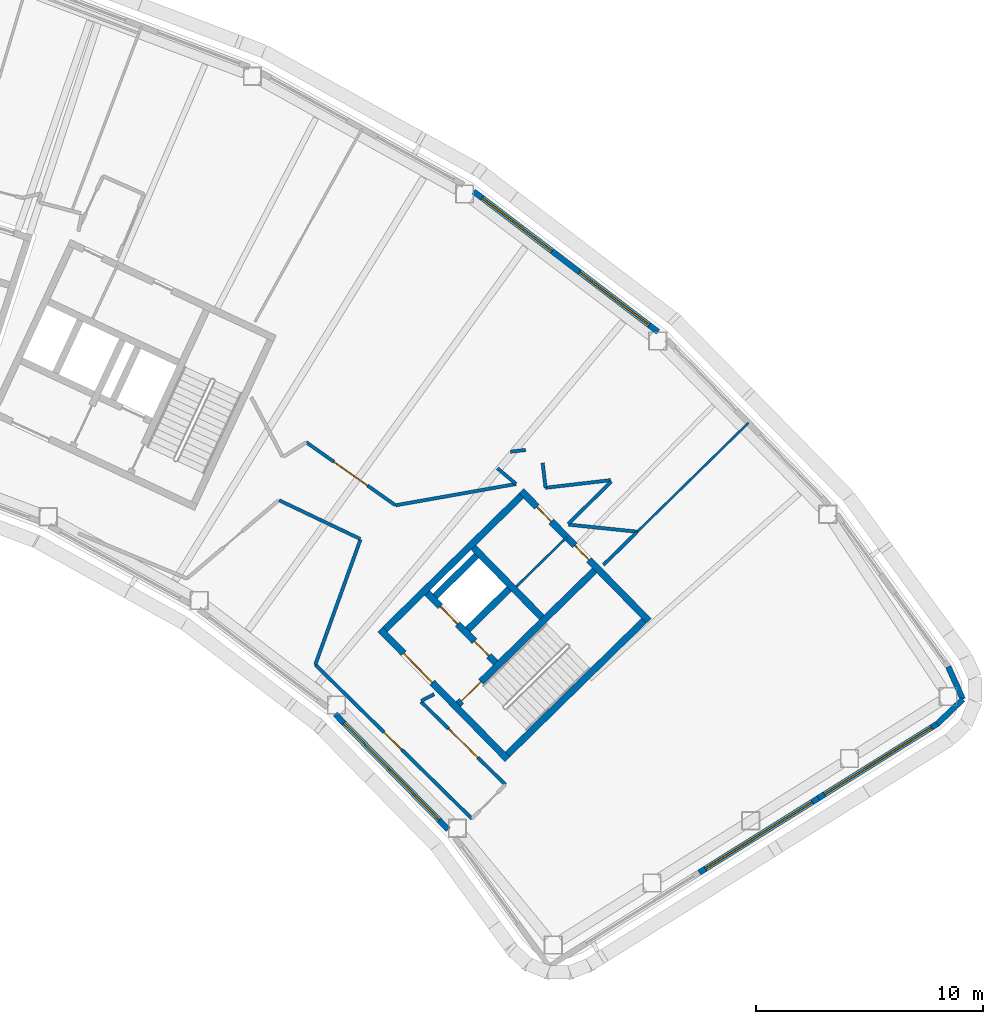
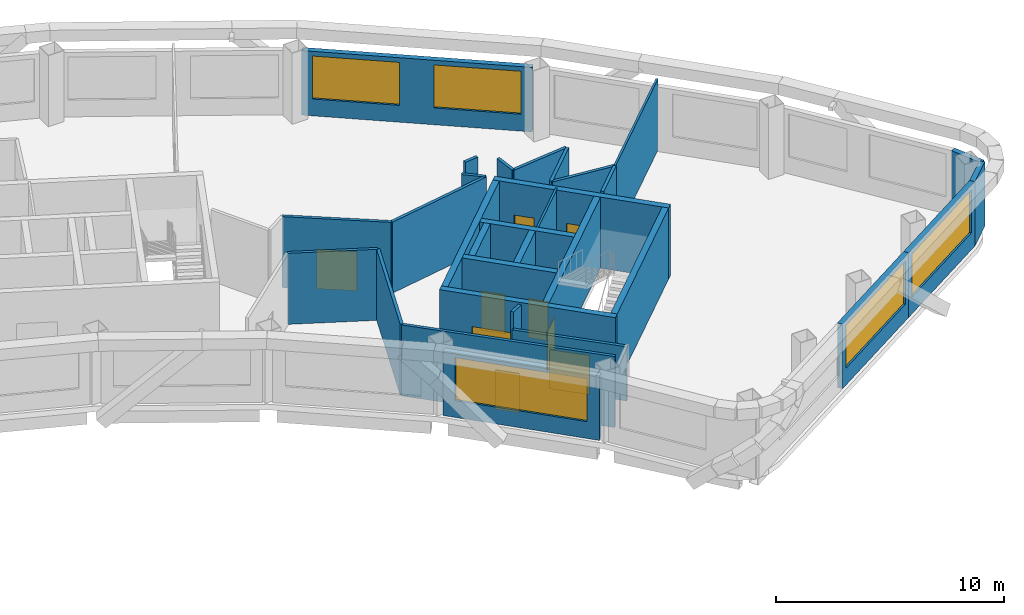
# One storey, part 9 of 18: 31 walls, 9 doors, 5 windows, 14 openings.
"""IFC4 building model written with IfcOpenShell, lengths in metres."""

from ifc_helpers import new_model, si_unit, direction, frame, frame_2d, origin, place, context, subcontext, project, spatial, rectangle, extrude, material, layer, layer_set, type_object, element, fill, save


model = new_model("IFC4")

# Units and contexts
model_context = context("Model", 3, precision=1e-05, world=origin(), true_north=direction((0.0, 1.0)))
body_context = subcontext(model_context, "Body", "Model", "MODEL_VIEW")
ifc_project = project(units=[si_unit("LENGTHUNIT", "METRE"), si_unit("AREAUNIT", "SQUARE_METRE"), si_unit("VOLUMEUNIT", "CUBIC_METRE"), si_unit("PLANEANGLEUNIT", "RADIAN"), si_unit("MASSUNIT", "GRAM", prefix="KILO")], contexts=[model_context])

# Site, building, storey
site_placement = place(None, origin())
site = spatial("IfcSite", under=ifc_project, at=site_placement, CompositionType="ELEMENT")
building_placement = place(site_placement, origin())
building = spatial("IfcBuilding", under=site, at=building_placement, Name="Tuul Gate Civic Tower", CompositionType="ELEMENT")
storey_placement = place(building_placement, frame((0.0, 0.0, 234.699951171875)))
storey = spatial("IfcBuildingStorey", under=building, at=storey_placement, Name="Level 53", CompositionType="ELEMENT", Elevation=234.699951171875)

# Wall, opening, door
ifc_material_1 = material(Name="Concrete C50/60", Category="concrete")
ifc_layer_1 = layer(ifc_material_1, 0.300048828125)
ifc_layer_set_1 = layer_set([ifc_layer_1], Name="Concrete C50/60")
wall_type_1 = type_object("IfcWallType", Name="Core wall C50/60", PredefinedType="SHEAR", material=ifc_layer_set_1)
wall_1_placement = place(storey_placement, frame((48.22509765625, -18.327880859375, 0.0), z_axis=(0.0, 0.0, 1.0), x_axis=(-0.700021979774, 0.714121297703, 0.0)))
wall_1 = element("IfcWall", 1, at=wall_1_placement, inside=storey, type_object=wall_type_1, Name="Core wall", PredefinedType="SHEAR", context=body_context, shape_type="SweptSolid", body=[
    extrude(rectangle(XDim=8.0, YDim=0.300048828125, at=frame_2d((4.0, 0.0))), origin(), (0.0, 0.0, 1.0), 3.800048828125),
])
opening_1_placement = place(wall_1_placement, frame((4.72509765625, 0.0, 0.0)))
opening_1 = element("IfcOpeningElement", 2, at=opening_1_placement, cuts=wall_1, Name="Opening LB-E1-LOBBY-1", PredefinedType="OPENING", context=body_context, shape_type="SweptSolid", body=[
    extrude(rectangle(XDim=1.800048828125, YDim=2.10009765625, at=frame_2d((0.89990234375, 1.050048828125))), frame((0.0, 0.16015625, 0.0), z_axis=(0.0, -1.0, 0.0), x_axis=(1.0, 0.0, 0.0)), (0.0, 0.0, 1.0), 0.320068359375),
])
ifc_material_2 = material(Name="Steel", Category="steel")
door_type_1 = type_object("IfcDoorType", Name="Lobby door", OperationType="DOUBLE_DOOR_SINGLE_SWING", PredefinedType="DOOR", material=ifc_material_2)
door_1_placement = place(opening_1_placement, frame((1.800048828125, 0.0, 0.0), z_axis=(0.0, 0.0, 1.0), x_axis=(-1.0, 0.0, 0.0)))
door_1 = element("IfcDoor", 3, at=door_1_placement, inside=storey, type_object=door_type_1, Name="Lobby door E1-LOBBY", OperationType="DOUBLE_DOOR_SINGLE_SWING", OverallHeight=2.10009765625, OverallWidth=1.800048828125, PredefinedType="DOOR", context=body_context, shape_type="SweptSolid", body=[
    extrude(rectangle(XDim=1.800048828125, YDim=2.10009765625, at=frame_2d((0.900146484375, 1.050048828125))), frame((0.0, 0.02490234375, 0.0), z_axis=(0.0, -1.0, 0.0), x_axis=(1.0, 0.0, 0.0)), (0.0, 0.0, 1.0), 0.050048828125),
])
fill(opening_1, door_1)

# Wall, openings, doors
wall_2_placement = place(storey_placement, frame((47.701904296875, -14.079833984375, 0.0), z_axis=(0.0, 0.0, 1.0), x_axis=(-0.700002721075, 0.714140175657, 0.0)))
wall_2 = element("IfcWall", 4, at=wall_2_placement, inside=storey, type_object=wall_type_1, Name="Core wall", PredefinedType="SHEAR", context=body_context, shape_type="SweptSolid", body=[
    extrude(rectangle(XDim=4.300048828125, YDim=0.300048828125, at=frame_2d((2.14990234375, 0.0))), origin(), (0.0, 0.0, 1.0), 3.800048828125),
])
opening_2_placement = place(wall_2_placement, frame((0.425048828125, 0.0, 0.0)))
opening_2 = element("IfcOpeningElement", 5, at=opening_2_placement, cuts=wall_2, Name="Opening FB-E1A1", PredefinedType="OPENING", context=body_context, shape_type="SweptSolid", body=[
    extrude(rectangle(XDim=0.89990234375, YDim=2.10009765625, at=frame_2d((0.449951171875, 1.050048828125))), frame((0.0, 0.16015625, 0.0), z_axis=(0.0, -1.0, 0.0), x_axis=(1.0, 0.0, 0.0)), (0.0, 0.0, 1.0), 0.320068359375),
])
opening_3_placement = place(wall_2_placement, frame((2.375, 0.0, 0.0)))
opening_3 = element("IfcOpeningElement", 6, at=opening_3_placement, cuts=wall_2, Name="Opening LD-M3", PredefinedType="OPENING", context=body_context, shape_type="SweptSolid", body=[
    extrude(rectangle(XDim=1.10009765625, YDim=2.10009765625, at=frame_2d((0.550048828125, 1.050048828125))), frame((0.0, 0.16015625, 0.0), z_axis=(0.0, -1.0, 0.0), x_axis=(1.0, 0.0, 0.0)), (0.0, 0.0, 1.0), 0.320068359375),
])
ifc_material_3 = material(Name="Stainless steel", Category="steel")
door_type_2 = type_object("IfcDoorType", Name="Landing door", OperationType="DOUBLE_DOOR_SLIDING", PredefinedType="DOOR", material=ifc_material_3)
door_2_placement = place(opening_3_placement, origin())
door_2 = element("IfcDoor", 7, at=door_2_placement, inside=storey, type_object=door_type_2, Name="Mid-rise lift M3 landing door", OperationType="DOUBLE_DOOR_SLIDING", OverallHeight=2.10009765625, OverallWidth=1.10009765625, PredefinedType="DOOR", context=body_context, shape_type="SweptSolid", body=[
    extrude(rectangle(XDim=1.10009765625, YDim=2.10009765625, at=frame_2d((0.550048828125, 1.050048828125))), frame((0.0, 0.02490234375, 0.0), z_axis=(0.0, -1.0, 0.0), x_axis=(1.0, 0.0, 0.0)), (0.0, 0.0, 1.0), 0.050048828125),
])
fill(opening_3, door_2)
ifc_material_4 = material(Name="Steel", Category="steel")
door_type_3 = type_object("IfcDoorType", Name="Store door", OperationType="NOTDEFINED", PredefinedType="DOOR", material=ifc_material_4)
door_3_placement = place(opening_2_placement, frame((0.89990234375, 0.0, 0.0), z_axis=(0.0, 0.0, 1.0), x_axis=(-1.0, 0.0, 0.0)))
door_3 = element("IfcDoor", 8, at=door_3_placement, inside=storey, type_object=door_type_3, Name="Store door E1A1", OperationType="SINGLE_SWING_RIGHT", OverallHeight=2.10009765625, OverallWidth=0.89990234375, PredefinedType="DOOR", context=body_context, shape_type="SweptSolid", body=[
    extrude(rectangle(XDim=0.89990234375, YDim=2.10009765625, at=frame_2d((0.449951171875, 1.050048828125))), frame((0.0, 0.02490234375, 0.0), z_axis=(0.0, -1.0, 0.0), x_axis=(1.0, 0.0, 0.0)), (0.0, 0.0, 1.0), 0.050048828125),
])
fill(opening_2, door_3)

# Wall
wall_3_placement = place(storey_placement, frame((49.737060546875, -12.0849609375, 0.0), z_axis=(0.0, 0.0, 1.0), x_axis=(-0.700002721075, 0.714140175657, 0.0)))
element("IfcWall", 9, at=wall_3_placement, inside=storey, type_object=wall_type_1, Name="Core wall", PredefinedType="SHEAR", context=body_context, shape_type="SweptSolid", body=[
    extrude(rectangle(XDim=4.300048828125, YDim=0.300048828125, at=frame_2d((2.14990234375, 0.0))), origin(), (0.0, 0.0, 1.0), 3.800048828125),
])

# Wall, openings, doors
wall_4_placement = place(storey_placement, frame((54.43798828125, -12.23779296875, 0.0), z_axis=(0.0, 0.0, 1.0), x_axis=(-0.700021979774, 0.714121297703, 0.0)))
wall_4 = element("IfcWall", 10, at=wall_4_placement, inside=storey, type_object=wall_type_1, Name="Core wall", PredefinedType="SHEAR", context=body_context, shape_type="SweptSolid", body=[
    extrude(rectangle(XDim=8.0, YDim=0.300048828125, at=frame_2d((4.0, 0.0))), origin(), (0.0, 0.0, 1.0), 3.800048828125),
])
opening_4_placement = place(wall_4_placement, frame((3.75, 0.0, 0.0)))
opening_4 = element("IfcOpeningElement", 11, at=opening_4_placement, cuts=wall_4, Name="Opening S-D33", PredefinedType="OPENING", context=body_context, shape_type="SweptSolid", body=[
    extrude(rectangle(XDim=0.89990234375, YDim=2.10009765625, at=frame_2d((0.449951171875, 1.050048828125))), frame((0.0, 0.16015625, 0.0), z_axis=(0.0, -1.0, 0.0), x_axis=(1.0, 0.0, 0.0)), (0.0, 0.0, 1.0), 0.320068359375),
])
opening_5_placement = place(wall_4_placement, frame((6.125, 0.0, 0.0)))
opening_5 = element("IfcOpeningElement", 12, at=opening_5_placement, cuts=wall_4, Name="Opening S-D34", PredefinedType="OPENING", context=body_context, shape_type="SweptSolid", body=[
    extrude(rectangle(XDim=0.89990234375, YDim=2.10009765625, at=frame_2d((0.449951171875, 1.050048828125))), frame((0.0, 0.16015625, 0.0), z_axis=(0.0, -1.0, 0.0), x_axis=(1.0, 0.0, 0.0)), (0.0, 0.0, 1.0), 0.320068359375),
])
ifc_material_5 = material(Name="Timber door leaf", Category="wood")
door_type_4 = type_object("IfcDoorType", Name="Door D09", OperationType="NOTDEFINED", PredefinedType="DOOR", material=ifc_material_5)
door_4_placement = place(opening_4_placement, origin())
door_4 = element("IfcDoor", 13, at=door_4_placement, inside=storey, type_object=door_type_4, Name="Door S-D33", OperationType="SINGLE_SWING_LEFT", OverallHeight=2.10009765625, OverallWidth=0.89990234375, PredefinedType="DOOR", context=body_context, shape_type="SweptSolid", body=[
    extrude(rectangle(XDim=0.89990234375, YDim=2.10009765625, at=frame_2d((0.449951171875, 1.050048828125))), frame((0.0, 0.02490234375, 0.0), z_axis=(0.0, -1.0, 0.0), x_axis=(1.0, 0.0, 0.0)), (0.0, 0.0, 1.0), 0.050048828125),
])
fill(opening_4, door_4)
door_5_placement = place(opening_5_placement, origin())
door_5 = element("IfcDoor", 14, at=door_5_placement, inside=storey, type_object=door_type_4, Name="Door S-D34", OperationType="SINGLE_SWING_LEFT", OverallHeight=2.10009765625, OverallWidth=0.89990234375, PredefinedType="DOOR", context=body_context, shape_type="SweptSolid", body=[
    extrude(rectangle(XDim=0.89990234375, YDim=2.10009765625, at=frame_2d((0.449951171875, 1.050048828125))), frame((0.0, 0.02490234375, 0.0), z_axis=(0.0, -1.0, 0.0), x_axis=(1.0, 0.0, 0.0)), (0.0, 0.0, 1.0), 0.050048828125),
])
fill(opening_5, door_5)

# Wall
wall_5_placement = place(storey_placement, frame((48.227294921875, -18.115966796875, 0.0), z_axis=(0.0, 0.0, 1.0), x_axis=(0.714105315431, 0.700038283577, 0.0)))
element("IfcWall", 15, at=wall_5_placement, inside=storey, type_object=wall_type_1, Name="Core wall", PredefinedType="SHEAR", context=body_context, shape_type="SweptSolid", body=[
    extrude(rectangle(XDim=8.400146484375, YDim=0.300048828125, at=frame_2d((4.2001953125, 0.0))), origin(), (0.0, 0.0, 1.0), 3.800048828125),
])

# Wall, opening, door
wall_6_placement = place(storey_placement, frame((46.05712890625, -15.902099609375, 0.0), z_axis=(0.0, 0.0, 1.0), x_axis=(0.714134086973, 0.700008932674, 0.0)))
wall_6 = element("IfcWall", 16, at=wall_6_placement, inside=storey, type_object=wall_type_1, Name="Core wall", PredefinedType="SHEAR", context=body_context, shape_type="SweptSolid", body=[
    extrude(rectangle(XDim=8.400146484375, YDim=0.300048828125, at=frame_2d((4.2001953125, 0.0))), origin(), (0.0, 0.0, 1.0), 3.800048828125),
])
opening_6_placement = place(wall_6_placement, frame((0.199951171875, 0.0, 0.0)))
opening_6 = element("IfcOpeningElement", 17, at=opening_6_placement, cuts=wall_6, Name="Opening SD-ST-3", PredefinedType="OPENING", context=body_context, shape_type="SweptSolid", body=[
    extrude(rectangle(XDim=1.199951171875, YDim=2.10009765625, at=frame_2d((0.60009765625, 1.050048828125))), frame((0.0, 0.16015625, 0.0), z_axis=(0.0, -1.0, 0.0), x_axis=(1.0, 0.0, 0.0)), (0.0, 0.0, 1.0), 0.320068359375),
])
ifc_material_6 = material(Name="Steel", Category="steel")
door_type_5 = type_object("IfcDoorType", Name="Stair door", OperationType="NOTDEFINED", PredefinedType="DOOR", material=ifc_material_6)
door_6_placement = place(opening_6_placement, origin())
door_6 = element("IfcDoor", 18, at=door_6_placement, inside=storey, type_object=door_type_5, Name="Stair door ST-3", OperationType="SINGLE_SWING_LEFT", OverallHeight=2.10009765625, OverallWidth=1.199951171875, PredefinedType="DOOR", context=body_context, shape_type="SweptSolid", body=[
    extrude(rectangle(XDim=1.199951171875, YDim=2.10009765625, at=frame_2d((0.60009765625, 1.050048828125))), frame((0.0, 0.02490234375, 0.0), z_axis=(0.0, -1.0, 0.0), x_axis=(1.0, 0.0, 0.0)), (0.0, 0.0, 1.0), 0.050048828125),
])
fill(opening_6, door_6)

# Walls
wall_7_placement = place(storey_placement, frame((46.47900390625, -12.617919921875, 0.0), z_axis=(0.0, 0.0, 1.0), x_axis=(0.71410944159, 0.700034074479, 0.0)))
element("IfcWall", 19, at=wall_7_placement, inside=storey, type_object=wall_type_1, Name="Core wall", PredefinedType="SHEAR", context=body_context, shape_type="SweptSolid", body=[
    extrude(rectangle(XDim=2.5498046875, YDim=0.300048828125, at=frame_2d((1.27490234375, 0.0))), origin(), (0.0, 0.0, 1.0), 3.800048828125),
])
wall_8_placement = place(storey_placement, frame((45.0439453125, -11.154052734375, 0.0), z_axis=(0.0, 0.0, 1.0), x_axis=(0.714108498262, 0.700035036773, 0.0)))
element("IfcWall", 20, at=wall_8_placement, inside=storey, type_object=wall_type_1, Name="Core wall", PredefinedType="SHEAR", context=body_context, shape_type="SweptSolid", body=[
    extrude(rectangle(XDim=2.550048828125, YDim=0.300048828125, at=frame_2d((1.27490234375, 0.0))), origin(), (0.0, 0.0, 1.0), 3.800048828125),
])
wall_9_placement = place(storey_placement, frame((42.837158203125, -12.616943359375, 0.0), z_axis=(0.0, 0.0, 1.0), x_axis=(0.714119844755, 0.700023461983, 0.0)))
element("IfcWall", 21, at=wall_9_placement, inside=storey, type_object=wall_type_1, Name="Core wall", PredefinedType="SHEAR", context=body_context, shape_type="SweptSolid", body=[
    extrude(rectangle(XDim=8.39990234375, YDim=0.300048828125, at=frame_2d((4.199951171875, 0.0))), origin(), (0.0, 0.0, 1.0), 3.800048828125),
])

# Wall, opening, door
ifc_material_7 = material(Name="Gypsum board partition")
ifc_layer_2 = layer(ifc_material_7, 0.14990234375)
ifc_layer_set_2 = layer_set([ifc_layer_2], Name="Gypsum board partition")
wall_type_2 = type_object("IfcWallType", Name="Corridor wall P150", PredefinedType="PARTITIONING", material=ifc_layer_set_2)
wall_10_placement = place(storey_placement, frame((39.772216796875, -14.166748046875, 0.0), z_axis=(0.0, 0.0, 1.0), x_axis=(0.713032522554, -0.70113095908, 0.0)))
wall_10 = element("IfcWall", 22, at=wall_10_placement, inside=storey, type_object=wall_type_2, Name="p003", PredefinedType="PARTITIONING", context=body_context, shape_type="SweptSolid", body=[
    extrude(rectangle(XDim=9.661865234375, YDim=0.14990234375, at=frame_2d((4.8310546875, 0.0))), origin(), (0.0, 0.0, 1.0), 3.800048828125),
])
opening_7_placement = place(wall_10_placement, frame((4.233154296875, 0.0, 0.0)))
opening_7 = element("IfcOpeningElement", 23, at=opening_7_placement, cuts=wall_10, Name="Opening S-D14", PredefinedType="OPENING", context=body_context, shape_type="SweptSolid", body=[
    extrude(rectangle(XDim=1.10009765625, YDim=2.10009765625, at=frame_2d((0.550048828125, 1.050048828125))), frame((0.0, 0.0849609375, 0.0), z_axis=(0.0, -1.0, 0.0), x_axis=(1.0, 0.0, 0.0)), (0.0, 0.0, 1.0), 0.169921875),
])
ifc_material_8 = material(Name="Timber door leaf", Category="wood")
door_type_6 = type_object("IfcDoorType", Name="Door D11", OperationType="NOTDEFINED", PredefinedType="DOOR", material=ifc_material_8)
door_7_placement = place(opening_7_placement, origin())
door_7 = element("IfcDoor", 24, at=door_7_placement, inside=storey, type_object=door_type_6, Name="Door S-D14", OperationType="SINGLE_SWING_RIGHT", OverallHeight=2.10009765625, OverallWidth=1.10009765625, PredefinedType="DOOR", context=body_context, shape_type="SweptSolid", body=[
    extrude(rectangle(XDim=1.10009765625, YDim=2.10009765625, at=frame_2d((0.550048828125, 1.050048828125))), frame((0.0, 0.02490234375, 0.0), z_axis=(0.0, -1.0, 0.0), x_axis=(1.0, 0.0, 0.0)), (0.0, 0.0, 1.0), 0.050048828125),
])
fill(opening_7, door_7)

# Walls
wall_11_placement = place(storey_placement, frame((44.4287109375, -15.764404296875, 0.0), z_axis=(0.0, 0.0, 1.0), x_axis=(0.885058078376, 0.465480609587, 0.0)))
element("IfcWall", 25, at=wall_11_placement, inside=storey, type_object=wall_type_2, Name="p006", PredefinedType="PARTITIONING", context=body_context, shape_type="SweptSolid", body=[
    extrude(rectangle(XDim=0.6435546875, YDim=0.14990234375, at=frame_2d((0.32177734375, 0.0))), origin(), (0.0, 0.0, 1.0), 3.800048828125),
])
wall_12_placement = place(storey_placement, frame((52.446533203125, -9.77783203125, 0.0), z_axis=(0.0, 0.0, 1.0), x_axis=(0.714347625983, 0.699791018271, 0.0)))
element("IfcWall", 26, at=wall_12_placement, inside=storey, type_object=wall_type_2, Name="p007", PredefinedType="PARTITIONING", context=body_context, shape_type="SweptSolid", body=[
    extrude(rectangle(XDim=2.046142578125, YDim=0.14990234375, at=frame_2d((1.02294921875, 0.0))), origin(), (0.0, 0.0, 1.0), 3.800048828125),
])
wall_13_placement = place(storey_placement, frame((50.909912109375, -8.00537109375, 0.0), z_axis=(0.0, 0.0, 1.0), x_axis=(0.994685560909, -0.102959384804, 0.0)))
element("IfcWall", 27, at=wall_13_placement, inside=storey, type_object=wall_type_2, Name="p008", PredefinedType="PARTITIONING", context=body_context, shape_type="SweptSolid", body=[
    extrude(rectangle(XDim=3.042236328125, YDim=0.14990234375, at=frame_2d((1.52099609375, 0.0))), origin(), (0.0, 0.0, 1.0), 3.800048828125),
])
wall_14_placement = place(storey_placement, frame((50.897705078125, -7.971435546875, 0.0), z_axis=(0.0, 0.0, 1.0), x_axis=(0.714270612319, 0.699869625272, 0.0)))
element("IfcWall", 28, at=wall_14_placement, inside=storey, type_object=wall_type_2, Name="p010", PredefinedType="PARTITIONING", context=body_context, shape_type="SweptSolid", body=[
    extrude(rectangle(XDim=2.66162109375, YDim=0.14990234375, at=frame_2d((1.330810546875, 0.0))), origin(), (0.0, 0.0, 1.0), 3.800048828125),
])
wall_15_placement = place(storey_placement, frame((43.306884765625, -7.155517578125, 0.0), z_axis=(0.0, 0.0, 1.0), x_axis=(0.98468061264, 0.174367689355, 0.0)))
element("IfcWall", 29, at=wall_15_placement, inside=storey, type_object=wall_type_2, Name="p011", PredefinedType="PARTITIONING", context=body_context, shape_type="SweptSolid", body=[
    extrude(rectangle(XDim=5.380859375, YDim=0.14990234375, at=frame_2d((2.6904296875, 0.0))), origin(), (0.0, 0.0, 1.0), 3.800048828125),
])
wall_16_placement = place(storey_placement, frame((49.9013671875, -6.384765625, 0.0), z_axis=(0.0, 0.0, 1.0), x_axis=(0.993234574038, 0.116125281206, 0.0)))
element("IfcWall", 30, at=wall_16_placement, inside=storey, type_object=wall_type_2, Name="p012", PredefinedType="PARTITIONING", context=body_context, shape_type="SweptSolid", body=[
    extrude(rectangle(XDim=2.888671875, YDim=0.14990234375, at=frame_2d((1.4443359375, 0.0))), origin(), (0.0, 0.0, 1.0), 3.800048828125),
])
wall_17_placement = place(storey_placement, frame((49.7734375, -5.291259765625, 0.0), z_axis=(0.0, 0.0, 1.0), x_axis=(0.116197915937, -0.993226079164, 0.0)))
element("IfcWall", 31, at=wall_17_placement, inside=storey, type_object=wall_type_2, Name="p013", PredefinedType="PARTITIONING", context=body_context, shape_type="SweptSolid", body=[
    extrude(rectangle(XDim=1.10107421875, YDim=0.14990234375, at=frame_2d((0.550537109375, 0.0))), origin(), (0.0, 0.0, 1.0), 3.800048828125),
])
wall_18_placement = place(storey_placement, frame((48.36083984375, -4.79833984375, 0.0), z_axis=(0.0, 0.0, 1.0), x_axis=(0.993222094631, 0.116231969514, 0.0)))
element("IfcWall", 32, at=wall_18_placement, inside=storey, type_object=wall_type_2, Name="p014", PredefinedType="PARTITIONING", context=body_context, shape_type="SweptSolid", body=[
    extrude(rectangle(XDim=0.67431640625, YDim=0.14990234375, at=frame_2d((0.337158203125, 0.0))), origin(), (0.0, 0.0, 1.0), 3.800048828125),
])
wall_19_placement = place(storey_placement, frame((47.784912109375, -5.529052734375, 0.0), z_axis=(0.0, 0.0, 1.0), x_axis=(0.7658620017, -0.643004972261, 0.0)))
element("IfcWall", 33, at=wall_19_placement, inside=storey, type_object=wall_type_2, Name="p015", PredefinedType="PARTITIONING", context=body_context, shape_type="SweptSolid", body=[
    extrude(rectangle(XDim=1.071044921875, YDim=0.14990234375, at=frame_2d((0.53564453125, 0.0))), origin(), (0.0, 0.0, 1.0), 3.800048828125),
])

# Wall, opening, door
wall_20_placement = place(storey_placement, frame((39.375732421875, -4.38330078125, 0.0), z_axis=(0.0, 0.0, 1.0), x_axis=(0.816608098951, -0.57719252657, 0.0)))
wall_20 = element("IfcWall", 34, at=wall_20_placement, inside=storey, type_object=wall_type_2, Name="p016", PredefinedType="PARTITIONING", context=body_context, shape_type="SweptSolid", body=[
    extrude(rectangle(XDim=4.7978515625, YDim=0.14990234375, at=frame_2d((2.39892578125, 0.0))), origin(), (0.0, 0.0, 1.0), 3.800048828125),
])
opening_8_placement = place(wall_20_placement, frame((1.4990234375, 0.0, 0.0)))
opening_8 = element("IfcOpeningElement", 35, at=opening_8_placement, cuts=wall_20, Name="Opening S-D02", PredefinedType="OPENING", context=body_context, shape_type="SweptSolid", body=[
    extrude(rectangle(XDim=1.800048828125, YDim=2.10009765625, at=frame_2d((0.89990234375, 1.050048828125))), frame((0.0, 0.0849609375, 0.0), z_axis=(0.0, -1.0, 0.0), x_axis=(1.0, 0.0, 0.0)), (0.0, 0.0, 1.0), 0.169921875),
])
ifc_material_9 = material(Name="Timber door leaf, double", Category="wood")
door_type_7 = type_object("IfcDoorType", Name="Door D18", OperationType="DOUBLE_DOOR_SINGLE_SWING", PredefinedType="DOOR", material=ifc_material_9)
door_8_placement = place(opening_8_placement, origin())
door_8 = element("IfcDoor", 36, at=door_8_placement, inside=storey, type_object=door_type_7, Name="Door S-D02", OperationType="DOUBLE_DOOR_SINGLE_SWING", OverallHeight=2.10009765625, OverallWidth=1.800048828125, PredefinedType="DOOR", context=body_context, shape_type="SweptSolid", body=[
    extrude(rectangle(XDim=1.800048828125, YDim=2.10009765625, at=frame_2d((0.89990234375, 1.050048828125))), frame((0.0, 0.02490234375, 0.0), z_axis=(0.0, -1.0, 0.0), x_axis=(1.0, 0.0, 0.0)), (0.0, 0.0, 1.0), 0.050048828125),
])
fill(opening_8, door_8)

# Walls
wall_21_placement = place(storey_placement, frame((38.177734375, -6.9326171875, 0.0), z_axis=(0.0, 0.0, 1.0), x_axis=(0.902587824964, -0.430505770259, 0.0)))
element("IfcWall", 37, at=wall_21_placement, inside=storey, type_object=wall_type_2, Name="p065", PredefinedType="PARTITIONING", context=body_context, shape_type="SweptSolid", body=[
    extrude(rectangle(XDim=3.957763671875, YDim=0.14990234375, at=frame_2d((1.97900390625, 0.0))), origin(), (0.0, 0.0, 1.0), 3.800048828125),
])
wall_22_placement = place(storey_placement, frame((39.772216796875, -14.166748046875, 0.0), z_axis=(0.0, 0.0, 1.0), x_axis=(0.339183196338, 0.940720340655, 0.0)))
element("IfcWall", 38, at=wall_22_placement, inside=storey, type_object=wall_type_2, Name="p066", PredefinedType="PARTITIONING", context=body_context, shape_type="SweptSolid", body=[
    extrude(rectangle(XDim=5.853271484375, YDim=0.14990234375, at=frame_2d((2.9267578125, 0.0))), origin(), (0.0, 0.0, 1.0), 3.800048828125),
])

# Wall, opening, door
ifc_material_10 = material(Name="Gypsum board partition")
ifc_layer_3 = layer(ifc_material_10, 0.14990234375)
ifc_layer_set_3 = layer_set([ifc_layer_3], Name="Gypsum board partition")
wall_type_3 = type_object("IfcWallType", Name="Corridor wall P150 2900 HIGH", PredefinedType="PARTITIONING", material=ifc_layer_set_3)
wall_23_placement = place(storey_placement, frame((44.4248046875, -15.79638671875, 0.0), z_axis=(0.0, 0.0, 1.0), x_axis=(0.71301937785, -0.701144326662, 0.0)))
wall_23 = element("IfcWall", 39, at=wall_23_placement, inside=storey, type_object=wall_type_3, Name="p005", PredefinedType="PARTITIONING", context=body_context, shape_type="SweptSolid", body=[
    extrude(rectangle(XDim=5.201416015625, YDim=0.14990234375, at=frame_2d((2.6005859375, 0.0))), origin(), (0.0, 0.0, 1.0), 2.900146484375),
])
opening_9_placement = place(wall_23_placement, frame((1.70068359375, 0.0, 0.0)))
opening_9 = element("IfcOpeningElement", 40, at=opening_9_placement, cuts=wall_23, Name="Opening S-D01", PredefinedType="OPENING", context=body_context, shape_type="SweptSolid", body=[
    extrude(rectangle(XDim=1.800048828125, YDim=2.10009765625, at=frame_2d((0.89990234375, 1.050048828125))), frame((0.0, 0.0849609375, 0.0), z_axis=(0.0, -1.0, 0.0), x_axis=(1.0, 0.0, 0.0)), (0.0, 0.0, 1.0), 0.169921875),
])
door_9_placement = place(opening_9_placement, frame((1.800048828125, 0.0, 0.0), z_axis=(0.0, 0.0, 1.0), x_axis=(-1.0, 0.0, 0.0)))
door_9 = element("IfcDoor", 41, at=door_9_placement, inside=storey, type_object=door_type_7, Name="Door S-D01", OperationType="DOUBLE_DOOR_SINGLE_SWING", OverallHeight=2.10009765625, OverallWidth=1.800048828125, PredefinedType="DOOR", context=body_context, shape_type="SweptSolid", body=[
    extrude(rectangle(XDim=1.800048828125, YDim=2.10009765625, at=frame_2d((0.900146484375, 1.050048828125))), frame((0.0, 0.02490234375, 0.0), z_axis=(0.0, -1.0, 0.0), x_axis=(1.0, 0.0, 0.0)), (0.0, 0.0, 1.0), 0.050048828125),
])
fill(opening_9, door_9)

# Walls
ifc_material_11 = material(Name="Precast concrete C40/50", Category="concrete")
ifc_layer_4 = layer(ifc_material_11, 0.25)
ifc_layer_set_4 = layer_set([ifc_layer_4], Name="Precast concrete C40/50")
wall_type_4 = type_object("IfcWallType", Name="External wall", PredefinedType="STANDARD", material=ifc_layer_set_4)
wall_24_placement = place(storey_placement, frame((67.129638671875, -16.775634765625, 0.0), z_axis=(0.0, 0.0, 1.0), x_axis=(0.72218238663, 0.691702682112, 0.0)))
element("IfcWall", 42, at=wall_24_placement, inside=storey, type_object=wall_type_4, Name="External wall", PredefinedType="STANDARD", context=body_context, shape_type="SweptSolid", body=[
    extrude(rectangle(XDim=1.570068359375, YDim=0.25, at=frame_2d((0.78515625, 0.0))), origin(), (0.0, 0.0, 1.0), 3.449951171875),
])
wall_25_placement = place(storey_placement, frame((68.263427734375, -15.689697265625, 0.0), z_axis=(0.0, 0.0, 1.0), x_axis=(-0.411823957852, 0.911263423901, 0.0)))
element("IfcWall", 43, at=wall_25_placement, inside=storey, type_object=wall_type_4, Name="External wall", PredefinedType="STANDARD", context=body_context, shape_type="SweptSolid", body=[
    extrude(rectangle(XDim=1.571533203125, YDim=0.25, at=frame_2d((0.78564453125, 0.0))), origin(), (0.0, 0.0, 1.0), 3.449951171875),
])

# Wall, openings, windows
wall_26_placement = place(storey_placement, frame((54.84814453125, 0.47509765625, 0.0), z_axis=(0.0, 0.0, 1.0), x_axis=(-0.795611005019, 0.605807831488, 0.0)))
wall_26 = element("IfcWall", 44, at=wall_26_placement, inside=storey, type_object=wall_type_4, Name="External wall", PredefinedType="STANDARD", context=body_context, shape_type="SweptSolid", body=[
    extrude(rectangle(XDim=10.188720703125, YDim=0.25, at=frame_2d((5.09423828125, 0.0))), origin(), (0.0, 0.0, 1.0), 3.449951171875),
])
opening_10_placement = place(wall_26_placement, frame((0.494140625, 0.0, 0.89990234375)))
opening_10 = element("IfcOpeningElement", 45, at=opening_10_placement, cuts=wall_26, Name="Opening W22", PredefinedType="OPENING", context=body_context, shape_type="SweptSolid", body=[
    extrude(rectangle(XDim=3.85009765625, YDim=2.300048828125, at=frame_2d((1.925048828125, 1.14990234375))), frame((0.0, 0.135009765625, 0.0), z_axis=(0.0, -1.0, 0.0), x_axis=(1.0, 0.0, 0.0)), (0.0, 0.0, 1.0), 0.27001953125),
])
opening_11_placement = place(wall_26_placement, frame((5.865478515625, 0.0, 0.89990234375)))
opening_11 = element("IfcOpeningElement", 46, at=opening_11_placement, cuts=wall_26, Name="Opening W22", PredefinedType="OPENING", context=body_context, shape_type="SweptSolid", body=[
    extrude(rectangle(XDim=3.85009765625, YDim=2.300048828125, at=frame_2d((1.925048828125, 1.14990234375))), frame((0.0, 0.135009765625, 0.0), z_axis=(0.0, -1.0, 0.0), x_axis=(1.0, 0.0, 0.0)), (0.0, 0.0, 1.0), 0.27001953125),
])
ifc_material_12 = material(Name="Glass", Category="glass")
window_type_1 = type_object("IfcWindowType", Name="Window W22 3850 x 2300", PartitioningType="SINGLE_PANEL", PredefinedType="WINDOW", material=ifc_material_12)
window_1_placement = place(opening_10_placement, origin())
window_1 = element("IfcWindow", 47, at=window_1_placement, inside=storey, type_object=window_type_1, Name="Window", OverallHeight=2.300048828125, OverallWidth=3.85009765625, PartitioningType="SINGLE_PANEL", PredefinedType="WINDOW", context=body_context, shape_type="SweptSolid", body=[
    extrude(rectangle(XDim=3.85009765625, YDim=2.300048828125, at=frame_2d((1.925048828125, 1.14990234375))), frame((0.0, 0.030029296875, 0.0), z_axis=(0.0, -1.0, 0.0), x_axis=(1.0, 0.0, 0.0)), (0.0, 0.0, 1.0), 0.06005859375),
])
fill(opening_10, window_1)
window_2_placement = place(opening_11_placement, origin())
window_2 = element("IfcWindow", 48, at=window_2_placement, inside=storey, type_object=window_type_1, Name="Window", OverallHeight=2.300048828125, OverallWidth=3.85009765625, PartitioningType="SINGLE_PANEL", PredefinedType="WINDOW", context=body_context, shape_type="SweptSolid", body=[
    extrude(rectangle(XDim=3.85009765625, YDim=2.300048828125, at=frame_2d((1.925048828125, 1.14990234375))), frame((0.0, 0.030029296875, 0.0), z_axis=(0.0, -1.0, 0.0), x_axis=(1.0, 0.0, 0.0)), (0.0, 0.0, 1.0), 0.06005859375),
])
fill(opening_11, window_2)

# Wall, opening, window
wall_27_placement = place(storey_placement, frame((40.643798828125, -16.337890625, 0.0), z_axis=(0.0, 0.0, 1.0), x_axis=(0.700032616457, -0.714110870871, 0.0)))
wall_27 = element("IfcWall", 49, at=wall_27_placement, inside=storey, type_object=wall_type_4, Name="External wall", PredefinedType="STANDARD", context=body_context, shape_type="SweptSolid", body=[
    extrude(rectangle(XDim=7.110107421875, YDim=0.25, at=frame_2d((3.55517578125, 0.0))), origin(), (0.0, 0.0, 1.0), 3.449951171875),
])
opening_12_placement = place(wall_27_placement, frame((0.553955078125, 0.0, 0.89990234375)))
opening_12 = element("IfcOpeningElement", 50, at=opening_12_placement, cuts=wall_27, Name="Opening W26", PredefinedType="OPENING", context=body_context, shape_type="SweptSolid", body=[
    extrude(rectangle(XDim=6.0, YDim=2.300048828125, at=frame_2d((3.0, 1.14990234375))), frame((0.0, 0.135009765625, 0.0), z_axis=(0.0, -1.0, 0.0), x_axis=(1.0, 0.0, 0.0)), (0.0, 0.0, 1.0), 0.27001953125),
])
ifc_material_13 = material(Name="Glass", Category="glass")
window_type_2 = type_object("IfcWindowType", Name="Window W26 6000 x 2300", PartitioningType="SINGLE_PANEL", PredefinedType="WINDOW", material=ifc_material_13)
window_3_placement = place(opening_12_placement, origin())
window_3 = element("IfcWindow", 51, at=window_3_placement, inside=storey, type_object=window_type_2, Name="Window", OverallHeight=2.300048828125, OverallWidth=6.0, PartitioningType="SINGLE_PANEL", PredefinedType="WINDOW", context=body_context, shape_type="SweptSolid", body=[
    extrude(rectangle(XDim=6.0, YDim=2.300048828125, at=frame_2d((3.0, 1.14990234375))), frame((0.0, 0.030029296875, 0.0), z_axis=(0.0, -1.0, 0.0), x_axis=(1.0, 0.0, 0.0)), (0.0, 0.0, 1.0), 0.06005859375),
])
fill(opening_12, window_3)

wall_28_placement = place(storey_placement, frame((56.6630859375, -23.312744140625, 0.0), z_axis=(0.0, 0.0, 1.0), x_axis=(0.848053758074, 0.529910203164, 0.0)))
wall_28 = element("IfcWall", 52, at=wall_28_placement, inside=storey, type_object=wall_type_4, Name="External wall", PredefinedType="STANDARD", context=body_context, shape_type="SweptSolid", body=[
    extrude(rectangle(XDim=6.182861328125, YDim=0.25, at=frame_2d((3.09130859375, 0.0))), origin(), (0.0, 0.0, 1.0), 3.449951171875),
])
opening_13_placement = place(wall_28_placement, frame((0.31640625, 0.0, 0.89990234375)))
opening_13 = element("IfcOpeningElement", 53, at=opening_13_placement, cuts=wall_28, Name="Opening W24", PredefinedType="OPENING", context=body_context, shape_type="SweptSolid", body=[
    extrude(rectangle(XDim=5.550048828125, YDim=2.300048828125, at=frame_2d((2.77490234375, 1.14990234375))), frame((0.0, 0.135009765625, 0.0), z_axis=(0.0, -1.0, 0.0), x_axis=(1.0, 0.0, 0.0)), (0.0, 0.0, 1.0), 0.27001953125),
])
ifc_material_14 = material(Name="Glass", Category="glass")
window_type_3 = type_object("IfcWindowType", Name="Window W24 5550 x 2300", PartitioningType="SINGLE_PANEL", PredefinedType="WINDOW", material=ifc_material_14)
window_4_placement = place(opening_13_placement, origin())
window_4 = element("IfcWindow", 54, at=window_4_placement, inside=storey, type_object=window_type_3, Name="Window", OverallHeight=2.300048828125, OverallWidth=5.550048828125, PartitioningType="SINGLE_PANEL", PredefinedType="WINDOW", context=body_context, shape_type="SweptSolid", body=[
    extrude(rectangle(XDim=5.550048828125, YDim=2.300048828125, at=frame_2d((2.77490234375, 1.14990234375))), frame((0.0, 0.030029296875, 0.0), z_axis=(0.0, -1.0, 0.0), x_axis=(1.0, 0.0, 0.0)), (0.0, 0.0, 1.0), 0.06005859375),
])
fill(opening_13, window_4)

wall_29_placement = place(storey_placement, frame((61.906494140625, -20.036376953125, 0.0), z_axis=(0.0, 0.0, 1.0), x_axis=(0.848042669488, 0.529927948619, 0.0)))
wall_29 = element("IfcWall", 55, at=wall_29_placement, inside=storey, type_object=wall_type_4, Name="External wall", PredefinedType="STANDARD", context=body_context, shape_type="SweptSolid", body=[
    extrude(rectangle(XDim=6.1826171875, YDim=0.25, at=frame_2d((3.09130859375, 0.0))), origin(), (0.0, 0.0, 1.0), 3.449951171875),
])
opening_14_placement = place(wall_29_placement, frame((0.31640625, 0.0, 0.89990234375)))
opening_14 = element("IfcOpeningElement", 56, at=opening_14_placement, cuts=wall_29, Name="Opening W24", PredefinedType="OPENING", context=body_context, shape_type="SweptSolid", body=[
    extrude(rectangle(XDim=5.550048828125, YDim=2.300048828125, at=frame_2d((2.77490234375, 1.14990234375))), frame((0.0, 0.135009765625, 0.0), z_axis=(0.0, -1.0, 0.0), x_axis=(1.0, 0.0, 0.0)), (0.0, 0.0, 1.0), 0.27001953125),
])
window_5_placement = place(opening_14_placement, origin())
window_5 = element("IfcWindow", 57, at=window_5_placement, inside=storey, type_object=window_type_3, Name="Window", OverallHeight=2.300048828125, OverallWidth=5.550048828125, PartitioningType="SINGLE_PANEL", PredefinedType="WINDOW", context=body_context, shape_type="SweptSolid", body=[
    extrude(rectangle(XDim=5.550048828125, YDim=2.300048828125, at=frame_2d((2.77490234375, 1.14990234375))), frame((0.0, 0.030029296875, 0.0), z_axis=(0.0, -1.0, 0.0), x_axis=(1.0, 0.0, 0.0)), (0.0, 0.0, 1.0), 0.06005859375),
])
fill(opening_14, window_5)

# Walls
ifc_material_15 = material(Name="Gypsum board partition")
ifc_layer_5 = layer(ifc_material_15, 0.10009765625)
ifc_layer_set_5 = layer_set([ifc_layer_5], Name="Gypsum board partition")
wall_type_5 = type_object("IfcWallType", Name="Partition P100", PredefinedType="PARTITIONING", material=ifc_layer_set_5)
wall_30_placement = place(storey_placement, frame((53.908203125, -8.345947265625, 0.0), z_axis=(0.0, 0.0, 1.0), x_axis=(0.714335438897, 0.699803458648, 0.0)))
element("IfcWall", 58, at=wall_30_placement, inside=storey, type_object=wall_type_5, Name="p001", PredefinedType="PARTITIONING", context=body_context, shape_type="SweptSolid", body=[
    extrude(rectangle(XDim=6.88818359375, YDim=0.10009765625, at=frame_2d((3.444091796875, 0.0))), origin(), (0.0, 0.0, 1.0), 3.800048828125),
])
wall_31_placement = place(storey_placement, frame((48.619140625, -10.72998046875, 0.0), z_axis=(0.0, 0.0, 1.0), x_axis=(0.714159293908, 0.699983216173, 0.0)))
element("IfcWall", 59, at=wall_31_placement, inside=storey, type_object=wall_type_5, Name="bE1-BAND-0", PredefinedType="PARTITIONING", context=body_context, shape_type="SweptSolid", body=[
    extrude(rectangle(XDim=3.099853515625, YDim=0.10009765625, at=frame_2d((1.5498046875, 0.0))), origin(), (0.0, 0.0, 1.0), 3.800048828125),
])

save(model, "model.ifc")
